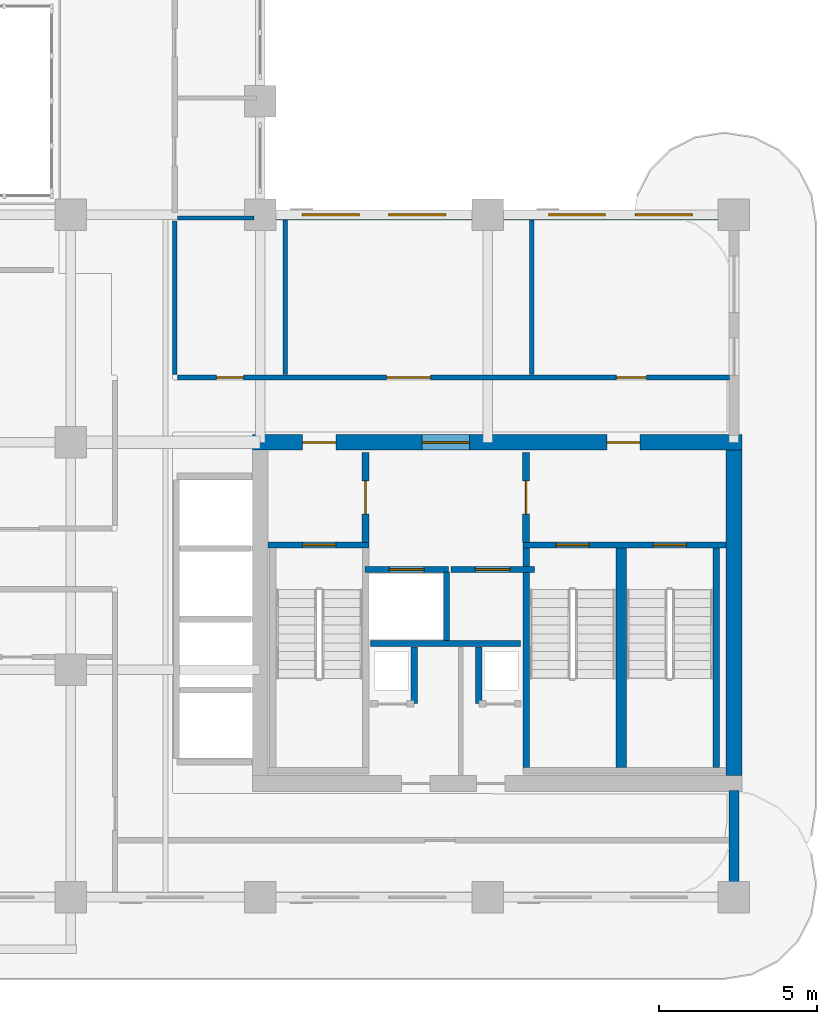
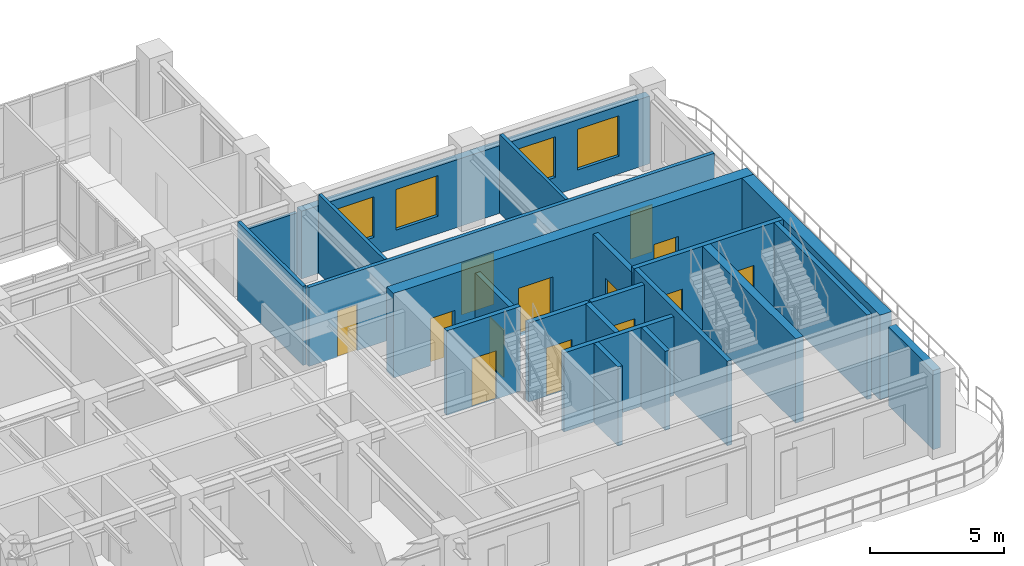
# One storey, part 13 of 20: 22 walls, 13 doors, 4 windows, 17 openings.
"""IFC4 building model written with IfcOpenShell, lengths in metres."""

from ifc_helpers import new_model, si_unit, derived_unit, direction, frame, frame_2d, origin, place, context, subcontext, project, spatial, rectangle, extrude, source, transform, mapped, material, layer, layer_set, type_object, type_shapes, element, fill, save


model = new_model("IFC4")

# Units and contexts
model_context = context("Model", 3, precision=1e-05, world=origin(), true_north=direction((0.0, 1.0)))
body_context = subcontext(model_context, "Body", "Model", "MODEL_VIEW")
ifc_project = project(units=[si_unit("LENGTHUNIT", "METRE"), si_unit("AREAUNIT", "SQUARE_METRE"), si_unit("VOLUMEUNIT", "CUBIC_METRE"), si_unit("PLANEANGLEUNIT", "RADIAN"), si_unit("MASSUNIT", "GRAM", prefix="KILO"), si_unit("THERMODYNAMICTEMPERATUREUNIT", "KELVIN"), si_unit("POWERUNIT", "WATT"), derived_unit("THERMALTRANSMITTANCEUNIT", [(si_unit("POWERUNIT", "WATT"), 1), (si_unit("AREAUNIT", "SQUARE_METRE"), -1), (si_unit("THERMODYNAMICTEMPERATUREUNIT", "KELVIN"), -1)])], contexts=[model_context])

# Site, building, storey
site_placement = place(None, origin())
site = spatial("IfcSite", under=ifc_project, at=site_placement, CompositionType="ELEMENT")
building_placement = place(site_placement, origin())
building = spatial("IfcBuilding", under=site, at=building_placement, Name="Zahravan Archway Hotel and Residences", CompositionType="ELEMENT")
storey_placement = place(building_placement, frame((0.0, 0.0, 177.25)))
storey = spatial("IfcBuildingStorey", under=building, at=storey_placement, Name="L44", CompositionType="ELEMENT", Elevation=177.25)

# Wall, openings, doors
ifc_material_1 = material(Name="Concrete C60/75", Category="concrete")
ifc_layer_1 = layer(ifc_material_1, 0.5, Name="Concrete C60/75", Category="concrete")
ifc_layer_set_1 = layer_set([ifc_layer_1], Name="Concrete C60/75")
wall_type_1 = type_object("IfcWallType", Name="CW-CORE-500", PredefinedType="SHEAR", material=ifc_layer_set_1)
wall_1_placement = place(storey_placement, frame((34.550048828125, 14.39990234375, 0.0), z_axis=(0.0, 0.0, 1.0), x_axis=(1.0, 0.0, 0.0)))
wall_1 = element("IfcWall", 1, at=wall_1_placement, inside=storey, type_object=wall_type_1, Name="L44 Core A Shear N Wall 500 mm", PredefinedType="SHEAR", context=body_context, shape_type="SweptSolid", body=[
    extrude(rectangle(XDim=15.5, YDim=0.5, at=frame_2d((7.75, 0.0))), origin(), (0.0, 0.0, 1.0), 3.85009765625),
])
opening_1_placement = place(wall_1_placement, frame((5.3798828125, 0.0, 0.0)))
opening_1 = element("IfcOpeningElement", 2, at=opening_1_placement, cuts=wall_1, Name="Opening FD-L1", PredefinedType="OPENING", context=body_context, shape_type="SweptSolid", body=[
    extrude(rectangle(XDim=1.5, YDim=2.199951171875, at=frame_2d((0.75, 1.10009765625))), frame((0.0, 0.260009765625, 0.0), z_axis=(0.0, -1.0, 0.0), x_axis=(1.0, 0.0, 0.0)), (0.0, 0.0, 1.0), 0.52001953125),
])
opening_2_placement = place(wall_1_placement, frame((1.594970703125, 0.0, 0.0)))
opening_2 = element("IfcOpeningElement", 3, at=opening_2_placement, cuts=wall_1, Name="Opening FD-L2", PredefinedType="OPENING", context=body_context, shape_type="SweptSolid", body=[
    extrude(rectangle(XDim=1.050048828125, YDim=2.14990234375, at=frame_2d((0.52490234375, 1.074951171875))), frame((0.0, 0.260009765625, 0.0), z_axis=(0.0, -1.0, 0.0), x_axis=(1.0, 0.0, 0.0)), (0.0, 0.0, 1.0), 0.52001953125),
])
opening_3_placement = place(wall_1_placement, frame((11.22509765625, 0.0, 0.0)))
opening_3 = element("IfcOpeningElement", 4, at=opening_3_placement, cuts=wall_1, Name="Opening FD-L2", PredefinedType="OPENING", context=body_context, shape_type="SweptSolid", body=[
    extrude(rectangle(XDim=1.050048828125, YDim=2.14990234375, at=frame_2d((0.52490234375, 1.074951171875))), frame((0.0, 0.260009765625, 0.0), z_axis=(0.0, -1.0, 0.0), x_axis=(1.0, 0.0, 0.0)), (0.0, 0.0, 1.0), 0.52001953125),
])
ifc_material_2 = material(Name="Fire-Rated Painted Steel", Category="steel")
door_type_1 = type_object("IfcDoorType", Name="FD-LOBBY-1100", OperationType="NOTDEFINED", PredefinedType="DOOR", material=ifc_material_2)
shared_shape_1 = source(origin(), body_context, "Body", "SweptSolid", [
    extrude(rectangle(XDim=1.050048828125, YDim=2.14990234375, at=frame_2d((0.52490234375, 1.074951171875))), frame((0.0, 0.02490234375, 0.0), z_axis=(0.0, -1.0, 0.0), x_axis=(1.0, 0.0, 0.0)), (0.0, 0.0, 1.0), 0.050048828125),
])
type_shapes(door_type_1, [shared_shape_1])
door_1_placement = place(opening_2_placement, origin())
door_1 = element("IfcDoor", 5, at=door_1_placement, inside=storey, type_object=door_type_1, Name="L44 Core A West Stair Lobby Door", OperationType="SINGLE_SWING_LEFT", OverallHeight=2.14990234375, OverallWidth=1.050048828125, PredefinedType="DOOR", context=body_context, shape_type="MappedRepresentation", body=[
    mapped(shared_shape_1, transform((0.0, 0.0, 0.0), scale=1.0)),
])
fill(opening_2, door_1)
door_2_placement = place(opening_3_placement, origin())
door_2 = element("IfcDoor", 6, at=door_2_placement, inside=storey, type_object=door_type_1, Name="L44 Core A East Stair Lobby Door", OperationType="SINGLE_SWING_RIGHT", OverallHeight=2.14990234375, OverallWidth=1.050048828125, PredefinedType="DOOR", context=body_context, shape_type="MappedRepresentation", body=[
    mapped(shared_shape_1, transform((0.0, 0.0, 0.0), scale=1.0)),
])
fill(opening_3, door_2)
door_type_2 = type_object("IfcDoorType", Name="FD-LOBBY-1500", OperationType="DOUBLE_DOOR_SINGLE_SWING", PredefinedType="DOOR", material=ifc_material_2)
shared_shape_2 = source(origin(), body_context, "Body", "SweptSolid", [
    extrude(rectangle(XDim=1.5, YDim=2.199951171875, at=frame_2d((0.75, 1.10009765625))), frame((0.0, 0.02490234375, 0.0), z_axis=(0.0, -1.0, 0.0), x_axis=(1.0, 0.0, 0.0)), (0.0, 0.0, 1.0), 0.050048828125),
])
type_shapes(door_type_2, [shared_shape_2])
door_3_placement = place(opening_1_placement, origin())
door_3 = element("IfcDoor", 7, at=door_3_placement, inside=storey, type_object=door_type_2, Name="L44 Core A FSAE Lobby Main Door", OperationType="DOUBLE_DOOR_SINGLE_SWING", OverallHeight=2.199951171875, OverallWidth=1.5, PredefinedType="DOOR", context=body_context, shape_type="MappedRepresentation", body=[
    mapped(shared_shape_2, transform((0.0, 0.0, 0.0), scale=1.0)),
])
fill(opening_1, door_3)

# Walls
wall_2_placement = place(storey_placement, frame((49.800048828125, 3.85009765625, 0.0), z_axis=(0.0, 0.0, 1.0), x_axis=(0.0, 1.0, 0.0)))
element("IfcWall", 8, at=wall_2_placement, inside=storey, type_object=wall_type_1, Name="L44 Core A Shear E Wall 500 mm", PredefinedType="SHEAR", context=body_context, shape_type="SweptSolid", body=[
    extrude(rectangle(XDim=10.2998046875, YDim=0.5, at=frame_2d((5.14990234375, 0.0))), origin(), (0.0, 0.0, 1.0), 3.85009765625),
])
ifc_material_3 = material(Name="Agra Buff Sandstone & Insulated Backup", Category="masonry")
ifc_layer_2 = layer(ifc_material_3, 0.320068359375, Name="Agra Buff Sandstone & Insulated Backup", Category="masonry")
ifc_layer_set_2 = layer_set([ifc_layer_2], Name="Agra Buff Sandstone & Insulated Backup")
wall_type_2 = type_object("IfcWallType", Name="EW-SAND-320", PredefinedType="SOLIDWALL", material=ifc_layer_set_2)
wall_3_placement = place(storey_placement, frame((49.800048828125, 0.050048828125, 0.0), z_axis=(0.0, 0.0, 1.0), x_axis=(0.0, 1.0, 0.0)))
element("IfcWall", 9, at=wall_3_placement, inside=storey, type_object=wall_type_2, Name="L44 Exterior Sandstone Wall WA-ES", PredefinedType="SOLIDWALL", context=body_context, shape_type="SweptSolid", body=[
    extrude(rectangle(XDim=3.329833984375, YDim=0.320068359375, at=frame_2d((1.6650390625, 0.0))), origin(), (0.0, 0.0, 1.0), 3.60009765625),
])

# Wall, openings, windows
wall_4_placement = place(storey_placement, frame((34.800048828125, 21.60009765625, 0.0), z_axis=(0.0, 0.0, 1.0), x_axis=(1.0, 0.0, 0.0)))
wall_4 = element("IfcWall", 10, at=wall_4_placement, inside=storey, type_object=wall_type_2, Name="L44 Exterior Sandstone Wall WA-NE", PredefinedType="SOLIDWALL", context=body_context, shape_type="SweptSolid", body=[
    extrude(rectangle(XDim=15.0, YDim=0.320068359375, at=frame_2d((7.5, 0.0))), origin(), (0.0, 0.0, 1.0), 3.0849609375),
])
opening_4_placement = place(wall_4_placement, frame((1.3310546875, 0.0, 0.800048828125)))
opening_4 = element("IfcOpeningElement", 11, at=opening_4_placement, cuts=wall_4, Name="Opening W-02", PredefinedType="OPENING", context=body_context, shape_type="SweptSolid", body=[
    extrude(rectangle(XDim=1.800048828125, YDim=1.85009765625, at=frame_2d((0.89990234375, 0.925048828125))), frame((0.0, 0.169921875, 0.0), z_axis=(0.0, -1.0, 0.0), x_axis=(1.0, 0.0, 0.0)), (0.0, 0.0, 1.0), 0.340087890625),
])
opening_5_placement = place(wall_4_placement, frame((4.076904296875, 0.0, 0.800048828125)))
opening_5 = element("IfcOpeningElement", 12, at=opening_5_placement, cuts=wall_4, Name="Opening W-02", PredefinedType="OPENING", context=body_context, shape_type="SweptSolid", body=[
    extrude(rectangle(XDim=1.800048828125, YDim=1.85009765625, at=frame_2d((0.89990234375, 0.925048828125))), frame((0.0, 0.169921875, 0.0), z_axis=(0.0, -1.0, 0.0), x_axis=(1.0, 0.0, 0.0)), (0.0, 0.0, 1.0), 0.340087890625),
])
opening_6_placement = place(wall_4_placement, frame((9.131103515625, 0.0, 0.800048828125)))
opening_6 = element("IfcOpeningElement", 13, at=opening_6_placement, cuts=wall_4, Name="Opening W-02", PredefinedType="OPENING", context=body_context, shape_type="SweptSolid", body=[
    extrude(rectangle(XDim=1.800048828125, YDim=1.85009765625, at=frame_2d((0.89990234375, 0.925048828125))), frame((0.0, 0.169921875, 0.0), z_axis=(0.0, -1.0, 0.0), x_axis=(1.0, 0.0, 0.0)), (0.0, 0.0, 1.0), 0.340087890625),
])
opening_7_placement = place(wall_4_placement, frame((11.876953125, 0.0, 0.800048828125)))
opening_7 = element("IfcOpeningElement", 14, at=opening_7_placement, cuts=wall_4, Name="Opening W-02", PredefinedType="OPENING", context=body_context, shape_type="SweptSolid", body=[
    extrude(rectangle(XDim=1.800048828125, YDim=1.85009765625, at=frame_2d((0.89990234375, 0.925048828125))), frame((0.0, 0.169921875, 0.0), z_axis=(0.0, -1.0, 0.0), x_axis=(1.0, 0.0, 0.0)), (0.0, 0.0, 1.0), 0.340087890625),
])
ifc_material_4 = material(Name="Bronze-Anodized Thermal-Break Aluminium & Low-E Glass", Category="aluminium")
window_type = type_object("IfcWindowType", Name="WIN-TWR-1800", PartitioningType="DOUBLE_PANEL_VERTICAL", PredefinedType="WINDOW", material=ifc_material_4)
shared_shape_3 = source(origin(), body_context, "Body", "SweptSolid", [
    extrude(rectangle(XDim=1.800048828125, YDim=1.85009765625, at=frame_2d((0.89990234375, 0.925048828125))), frame((0.0, 0.030029296875, 0.0), z_axis=(0.0, -1.0, 0.0), x_axis=(1.0, 0.0, 0.0)), (0.0, 0.0, 1.0), 0.06005859375),
])
type_shapes(window_type, [shared_shape_3])
window_1_placement = place(opening_4_placement, origin())
window_1 = element("IfcWindow", 15, at=window_1_placement, inside=storey, type_object=window_type, Name="L44 Loggia Window 12", OverallHeight=1.85009765625, OverallWidth=1.800048828125, PartitioningType="DOUBLE_PANEL_VERTICAL", PredefinedType="WINDOW", context=body_context, shape_type="MappedRepresentation", body=[
    mapped(shared_shape_3, transform((0.0, 0.0, 0.0), scale=1.0)),
])
fill(opening_4, window_1)
window_2_placement = place(opening_5_placement, origin())
window_2 = element("IfcWindow", 16, at=window_2_placement, inside=storey, type_object=window_type, Name="L44 Loggia Window 13", OverallHeight=1.85009765625, OverallWidth=1.800048828125, PartitioningType="DOUBLE_PANEL_VERTICAL", PredefinedType="WINDOW", context=body_context, shape_type="MappedRepresentation", body=[
    mapped(shared_shape_3, transform((0.0, 0.0, 0.0), scale=1.0)),
])
fill(opening_5, window_2)
window_3_placement = place(opening_6_placement, origin())
window_3 = element("IfcWindow", 17, at=window_3_placement, inside=storey, type_object=window_type, Name="L44 Loggia Window 14", OverallHeight=1.85009765625, OverallWidth=1.800048828125, PartitioningType="DOUBLE_PANEL_VERTICAL", PredefinedType="WINDOW", context=body_context, shape_type="MappedRepresentation", body=[
    mapped(shared_shape_3, transform((0.0, 0.0, 0.0), scale=1.0)),
])
fill(opening_6, window_3)
window_4_placement = place(opening_7_placement, origin())
window_4 = element("IfcWindow", 18, at=window_4_placement, inside=storey, type_object=window_type, Name="L44 Loggia Window 15", OverallHeight=1.85009765625, OverallWidth=1.800048828125, PartitioningType="DOUBLE_PANEL_VERTICAL", PredefinedType="WINDOW", context=body_context, shape_type="MappedRepresentation", body=[
    mapped(shared_shape_3, transform((0.0, 0.0, 0.0), scale=1.0)),
])
fill(opening_7, window_4)

# Wall, opening, door
ifc_material_5 = material(Name="Fire-Rated Gypsum & Concrete Block", Category="concrete")
ifc_layer_3 = layer(ifc_material_5, 0.219970703125, Name="Fire-Rated Gypsum & Concrete Block", Category="concrete")
ifc_layer_set_3 = layer_set([ifc_layer_3], Name="Fire-Rated Gypsum & Concrete Block")
wall_type_3 = type_object("IfcWallType", Name="PW-COMP-220", PredefinedType="PARTITIONING", material=ifc_layer_set_3)
wall_5_placement = place(storey_placement, frame((38.139892578125, 11.219970703125, 0.0), z_axis=(0.0, 0.0, 1.0), x_axis=(0.0, 1.0, 0.0)))
wall_5 = element("IfcWall", 19, at=wall_5_placement, inside=storey, type_object=wall_type_3, Name="L44 Partition CA-LOBW", PredefinedType="PARTITIONING", context=body_context, shape_type="SweptSolid", body=[
    extrude(rectangle(XDim=2.860107421875, YDim=0.219970703125, at=frame_2d((1.43017578125, 0.0))), origin(), (0.0, 0.0, 1.0), 3.60009765625),
])
opening_8_placement = place(wall_5_placement, frame((0.905029296875, 0.0, 0.0)))
opening_8 = element("IfcOpeningElement", 20, at=opening_8_placement, cuts=wall_5, Name="Opening FD-L2", PredefinedType="OPENING", context=body_context, shape_type="SweptSolid", body=[
    extrude(rectangle(XDim=1.050048828125, YDim=2.14990234375, at=frame_2d((0.52490234375, 1.074951171875))), frame((0.0, 0.1201171875, 0.0), z_axis=(0.0, -1.0, 0.0), x_axis=(1.0, 0.0, 0.0)), (0.0, 0.0, 1.0), 0.239990234375),
])
door_4_placement = place(opening_8_placement, origin())
door_4 = element("IfcDoor", 21, at=door_4_placement, inside=storey, type_object=door_type_1, Name="L44 Core A West Stair to FSAE Lobby Door", OperationType="SINGLE_SWING_LEFT", OverallHeight=2.14990234375, OverallWidth=1.050048828125, PredefinedType="DOOR", context=body_context, shape_type="MappedRepresentation", body=[
    mapped(shared_shape_1, transform((0.0, 0.0, 0.0), scale=1.0)),
])
fill(opening_8, door_4)

wall_6_placement = place(storey_placement, frame((43.219970703125, 11.219970703125, 0.0), z_axis=(0.0, 0.0, 1.0), x_axis=(0.0, 1.0, 0.0)))
wall_6 = element("IfcWall", 22, at=wall_6_placement, inside=storey, type_object=wall_type_3, Name="L44 Partition CA-LOBE", PredefinedType="PARTITIONING", context=body_context, shape_type="SweptSolid", body=[
    extrude(rectangle(XDim=2.860107421875, YDim=0.219970703125, at=frame_2d((1.43017578125, 0.0))), origin(), (0.0, 0.0, 1.0), 3.60009765625),
])
opening_9_placement = place(wall_6_placement, frame((0.905029296875, 0.0, 0.0)))
opening_9 = element("IfcOpeningElement", 23, at=opening_9_placement, cuts=wall_6, Name="Opening FD-L2", PredefinedType="OPENING", context=body_context, shape_type="SweptSolid", body=[
    extrude(rectangle(XDim=1.050048828125, YDim=2.14990234375, at=frame_2d((0.52490234375, 1.074951171875))), frame((0.0, 0.1201171875, 0.0), z_axis=(0.0, -1.0, 0.0), x_axis=(1.0, 0.0, 0.0)), (0.0, 0.0, 1.0), 0.239990234375),
])
door_5_placement = place(opening_9_placement, origin())
door_5 = element("IfcDoor", 24, at=door_5_placement, inside=storey, type_object=door_type_1, Name="L44 Core A East Stair to FSAE Lobby Door", OperationType="SINGLE_SWING_RIGHT", OverallHeight=2.14990234375, OverallWidth=1.050048828125, PredefinedType="DOOR", context=body_context, shape_type="MappedRepresentation", body=[
    mapped(shared_shape_1, transform((0.0, 0.0, 0.0), scale=1.0)),
])
fill(opening_9, door_5)

# Wall, openings, doors
ifc_layer_4 = layer(ifc_material_5, 0.159912109375, Name="Fire-Rated Gypsum & Concrete Block", Category="concrete")
ifc_layer_set_4 = layer_set([ifc_layer_4], Name="Fire-Rated Gypsum & Concrete Block")
wall_type_4 = type_object("IfcWallType", Name="PW-CORR-160", PredefinedType="PARTITIONING", material=ifc_layer_set_4)
wall_7_placement = place(storey_placement, frame((32.18994140625, 16.449951171875, 0.0), z_axis=(0.0, 0.0, 1.0), x_axis=(1.0, 0.0, 0.0)))
wall_7 = element("IfcWall", 25, at=wall_7_placement, inside=storey, type_object=wall_type_4, Name="L44 Partition WA-FN", PredefinedType="PARTITIONING", context=body_context, shape_type="SweptSolid", body=[
    extrude(rectangle(XDim=17.469970703125, YDim=0.159912109375, at=frame_2d((8.73486328125, 0.0))), origin(), (0.0, 0.0, 1.0), 3.60009765625),
])
opening_10_placement = place(wall_7_placement, frame((1.235107421875, 0.0, 0.0)))
opening_10 = element("IfcOpeningElement", 26, at=opening_10_placement, cuts=wall_7, Name="Opening D-B1", PredefinedType="OPENING", context=body_context, shape_type="SweptSolid", body=[
    extrude(rectangle(XDim=0.85009765625, YDim=2.10009765625, at=frame_2d((0.425048828125, 1.050048828125))), frame((0.0, 0.08984375, 0.0), z_axis=(0.0, -1.0, 0.0), x_axis=(1.0, 0.0, 0.0)), (0.0, 0.0, 1.0), 0.179931640625),
])
opening_11_placement = place(wall_7_placement, frame((6.610107421875, 0.0, 0.0)))
opening_11 = element("IfcOpeningElement", 27, at=opening_11_placement, cuts=wall_7, Name="Opening D-P1", PredefinedType="OPENING", context=body_context, shape_type="SweptSolid", body=[
    extrude(rectangle(XDim=1.39990234375, YDim=2.35009765625, at=frame_2d((0.699951171875, 1.175048828125))), frame((0.0, 0.08984375, 0.0), z_axis=(0.0, -1.0, 0.0), x_axis=(1.0, 0.0, 0.0)), (0.0, 0.0, 1.0), 0.179931640625),
])
opening_12_placement = place(wall_7_placement, frame((13.885009765625, 0.0, 0.0)))
opening_12 = element("IfcOpeningElement", 28, at=opening_12_placement, cuts=wall_7, Name="Opening D-I1", PredefinedType="OPENING", context=body_context, shape_type="SweptSolid", body=[
    extrude(rectangle(XDim=0.949951171875, YDim=2.14990234375, at=frame_2d((0.47509765625, 1.074951171875))), frame((0.0, 0.08984375, 0.0), z_axis=(0.0, -1.0, 0.0), x_axis=(1.0, 0.0, 0.0)), (0.0, 0.0, 1.0), 0.179931640625),
])
ifc_material_6 = material(Name="Hardwood Veneer Timber", Category="wood")
door_type_3 = type_object("IfcDoorType", Name="ID-BATH-850", OperationType="NOTDEFINED", PredefinedType="DOOR", material=ifc_material_6)
shared_shape_4 = source(origin(), body_context, "Body", "SweptSolid", [
    extrude(rectangle(XDim=0.85009765625, YDim=2.10009765625, at=frame_2d((0.425048828125, 1.050048828125))), frame((0.0, 0.02490234375, 0.0), z_axis=(0.0, -1.0, 0.0), x_axis=(1.0, 0.0, 0.0)), (0.0, 0.0, 1.0), 0.050048828125),
])
type_shapes(door_type_3, [shared_shape_4])
door_6_placement = place(opening_10_placement, origin())
door_6 = element("IfcDoor", 29, at=door_6_placement, inside=storey, type_object=door_type_3, Name="L44 Accessible WC Door", OperationType="SINGLE_SWING_RIGHT", OverallHeight=2.10009765625, OverallWidth=0.85009765625, PredefinedType="DOOR", context=body_context, shape_type="MappedRepresentation", body=[
    mapped(shared_shape_4, transform((0.0, 0.0, 0.0), scale=1.0)),
])
fill(opening_10, door_6)
ifc_material_7 = material(Name="Bronze-Anodized Glazed Aluminium", Category="aluminium")
door_type_4 = type_object("IfcDoorType", Name="ID-PUBLIC-1400", OperationType="DOUBLE_DOOR_SINGLE_SWING", PredefinedType="DOOR", material=ifc_material_7)
shared_shape_5 = source(origin(), body_context, "Body", "SweptSolid", [
    extrude(rectangle(XDim=1.39990234375, YDim=2.35009765625, at=frame_2d((0.699951171875, 1.175048828125))), frame((0.0, 0.02490234375, 0.0), z_axis=(0.0, -1.0, 0.0), x_axis=(1.0, 0.0, 0.0)), (0.0, 0.0, 1.0), 0.050048828125),
])
type_shapes(door_type_4, [shared_shape_5])
door_7_placement = place(opening_11_placement, origin())
door_7 = element("IfcDoor", 30, at=door_7_placement, inside=storey, type_object=door_type_4, Name="L44 Private Dining Door", OperationType="DOUBLE_DOOR_SINGLE_SWING", OverallHeight=2.35009765625, OverallWidth=1.39990234375, PredefinedType="DOOR", context=body_context, shape_type="MappedRepresentation", body=[
    mapped(shared_shape_5, transform((0.0, 0.0, 0.0), scale=1.0)),
])
fill(opening_11, door_7)
door_type_5 = type_object("IfcDoorType", Name="ID-INT-950", OperationType="NOTDEFINED", PredefinedType="DOOR", material=ifc_material_6)
shared_shape_6 = source(origin(), body_context, "Body", "SweptSolid", [
    extrude(rectangle(XDim=0.949951171875, YDim=2.14990234375, at=frame_2d((0.47509765625, 1.074951171875))), frame((0.0, 0.02490234375, 0.0), z_axis=(0.0, -1.0, 0.0), x_axis=(1.0, 0.0, 0.0)), (0.0, 0.0, 1.0), 0.050048828125),
])
type_shapes(door_type_5, [shared_shape_6])
door_8_placement = place(opening_12_placement, origin())
door_8 = element("IfcDoor", 31, at=door_8_placement, inside=storey, type_object=door_type_5, Name="L44 Quiet Musalla Door", OperationType="SINGLE_SWING_LEFT", OverallHeight=2.14990234375, OverallWidth=0.949951171875, PredefinedType="DOOR", context=body_context, shape_type="MappedRepresentation", body=[
    mapped(shared_shape_6, transform((0.0, 0.0, 0.0), scale=1.0)),
])
fill(opening_12, door_8)

# Walls
ifc_layer_5 = layer(ifc_material_5, 0.199951171875, Name="Fire-Rated Gypsum & Concrete Block", Category="concrete")
ifc_layer_set_5 = layer_set([ifc_layer_5], Name="Fire-Rated Gypsum & Concrete Block")
wall_type_5 = type_object("IfcWallType", Name="PW-SHAFT-200", PredefinedType="PARTITIONING", material=ifc_layer_set_5)
wall_8_placement = place(storey_placement, frame((38.300048828125, 8.030029296875, 0.0), z_axis=(0.0, 0.0, 1.0), x_axis=(1.0, 0.0, 0.0)))
element("IfcWall", 32, at=wall_8_placement, inside=storey, type_object=wall_type_5, Name="L44 Partition CA-FLS", PredefinedType="PARTITIONING", context=body_context, shape_type="SweptSolid", body=[
    extrude(rectangle(XDim=4.739990234375, YDim=0.199951171875, at=frame_2d((2.3701171875, 0.0))), origin(), (0.0, 0.0, 1.0), 3.60009765625),
])
wall_9_placement = place(storey_placement, frame((40.699951171875, 8.1201171875, 0.0), z_axis=(0.0, 0.0, 1.0), x_axis=(0.0, 1.0, 0.0)))
element("IfcWall", 33, at=wall_9_placement, inside=storey, type_object=wall_type_5, Name="L44 Partition CA-FLM", PredefinedType="PARTITIONING", context=body_context, shape_type="SweptSolid", body=[
    extrude(rectangle(XDim=2.179931640625, YDim=0.199951171875, at=frame_2d((1.08984375, 0.0))), origin(), (0.0, 0.0, 1.0), 3.60009765625),
])
for number, where, z_axis, x_axis, name in (
    (34, (39.679931640625, 6.1298828125, 0.0), (0.0, 0.0, 1.0), (0.0, 1.0, 0.0), "L44 Partition CA-SMKE"),
    (35, (41.719970703125, 6.1298828125, 0.0), (0.0, 0.0, 1.0), (0.0, 1.0, 0.0), "L44 Partition CA-MEPW"),
):
    element("IfcWall", number, at=place(storey_placement, frame(where, z_axis=z_axis, x_axis=x_axis)), inside=storey, type_object=wall_type_5, Name=name, PredefinedType="PARTITIONING", context=body_context, shape_type="SweptSolid", body=[
        extrude(rectangle(XDim=1.7900390625, YDim=0.199951171875, at=frame_2d((0.89501953125, 0.0))), origin(), (0.0, 0.0, 1.0), 3.60009765625),
    ])

# Wall, opening, door
wall_10_placement = place(storey_placement, frame((38.1201171875, 10.3701171875, 0.0), z_axis=(0.0, 0.0, 1.0), x_axis=(1.0, 0.0, 0.0)))
wall_10 = element("IfcWall", 36, at=wall_10_placement, inside=storey, type_object=wall_type_5, Name="L44 Lift FL-1 Front Wall", PredefinedType="PARTITIONING", context=body_context, shape_type="SweptSolid", body=[
    extrude(rectangle(XDim=2.639892578125, YDim=0.199951171875, at=frame_2d((1.31982421875, 0.0))), origin(), (0.0, 0.0, 1.0), 3.60009765625),
])
opening_13_placement = place(wall_10_placement, frame((0.77001953125, 0.0, 0.0)))
opening_13 = element("IfcOpeningElement", 37, at=opening_13_placement, cuts=wall_10, Name="Opening LD", PredefinedType="OPENING", context=body_context, shape_type="SweptSolid", body=[
    extrude(rectangle(XDim=1.10009765625, YDim=2.199951171875, at=frame_2d((0.550048828125, 1.10009765625))), frame((0.0, 0.10986328125, 0.0), z_axis=(0.0, -1.0, 0.0), x_axis=(1.0, 0.0, 0.0)), (0.0, 0.0, 1.0), 0.219970703125),
])
ifc_material_8 = material(Name="Brushed Stainless Steel", Category="steel")
door_type_6 = type_object("IfcDoorType", Name="DR-LIFT-LD", OperationType="SLIDING_TO_LEFT", PredefinedType="DOOR", material=ifc_material_8)
shared_shape_7 = source(origin(), body_context, "Body", "SweptSolid", [
    extrude(rectangle(XDim=1.10009765625, YDim=2.199951171875, at=frame_2d((0.550048828125, 1.10009765625))), frame((0.0, 0.02490234375, 0.0), z_axis=(0.0, -1.0, 0.0), x_axis=(1.0, 0.0, 0.0)), (0.0, 0.0, 1.0), 0.050048828125),
])
type_shapes(door_type_6, [shared_shape_7])
door_9_placement = place(opening_13_placement, origin())
door_9 = element("IfcDoor", 38, at=door_9_placement, inside=storey, type_object=door_type_6, Name="L44 Lift FL-1 Sliding Landing Door", OperationType="SLIDING_TO_LEFT", OverallHeight=2.199951171875, OverallWidth=1.10009765625, PredefinedType="DOOR", context=body_context, shape_type="MappedRepresentation", body=[
    mapped(shared_shape_7, transform((0.0, 0.0, 0.0), scale=1.0)),
])
fill(opening_13, door_9)

wall_11_placement = place(storey_placement, frame((40.840087890625, 10.3701171875, 0.0), z_axis=(0.0, 0.0, 1.0), x_axis=(1.0, 0.0, 0.0)))
wall_11 = element("IfcWall", 39, at=wall_11_placement, inside=storey, type_object=wall_type_5, Name="L44 Lift FL-2 Front Wall", PredefinedType="PARTITIONING", context=body_context, shape_type="SweptSolid", body=[
    extrude(rectangle(XDim=2.639892578125, YDim=0.199951171875, at=frame_2d((1.31982421875, 0.0))), origin(), (0.0, 0.0, 1.0), 3.60009765625),
])
opening_14_placement = place(wall_11_placement, frame((0.77001953125, 0.0, 0.0)))
opening_14 = element("IfcOpeningElement", 40, at=opening_14_placement, cuts=wall_11, Name="Opening LD", PredefinedType="OPENING", context=body_context, shape_type="SweptSolid", body=[
    extrude(rectangle(XDim=1.10009765625, YDim=2.199951171875, at=frame_2d((0.550048828125, 1.10009765625))), frame((0.0, 0.10986328125, 0.0), z_axis=(0.0, -1.0, 0.0), x_axis=(1.0, 0.0, 0.0)), (0.0, 0.0, 1.0), 0.219970703125),
])
door_10_placement = place(opening_14_placement, origin())
door_10 = element("IfcDoor", 41, at=door_10_placement, inside=storey, type_object=door_type_6, Name="L44 Lift FL-2 Sliding Landing Door", OperationType="SLIDING_TO_LEFT", OverallHeight=2.199951171875, OverallWidth=1.10009765625, PredefinedType="DOOR", context=body_context, shape_type="MappedRepresentation", body=[
    mapped(shared_shape_7, transform((0.0, 0.0, 0.0), scale=1.0)),
])
fill(opening_14, door_10)

# Walls
ifc_material_9 = material(Name="Moisture-Resistant Blockwork", Category="masonry")
ifc_layer_6 = layer(ifc_material_9, 0.139892578125, Name="Moisture-Resistant Blockwork", Category="masonry")
ifc_layer_set_6 = layer_set([ifc_layer_6], Name="Moisture-Resistant Blockwork")
wall_type_6 = type_object("IfcWallType", Name="PW-WET-140", PredefinedType="PARTITIONING", material=ifc_layer_set_6)
wall_12_placement = place(storey_placement, frame((32.10009765625, 16.5400390625, 0.0), z_axis=(0.0, 0.0, 1.0), x_axis=(0.0, 1.0, 0.0)))
element("IfcWall", 42, at=wall_12_placement, inside=storey, type_object=wall_type_6, Name="L44 Partition NE-W0", PredefinedType="PARTITIONING", context=body_context, shape_type="SweptSolid", body=[
    extrude(rectangle(XDim=4.869873046875, YDim=0.139892578125, at=frame_2d((2.43505859375, 0.0))), origin(), (0.0, 0.0, 1.0), 3.60009765625),
])
for number, where, z_axis, x_axis, name in (
    (43, (35.60009765625, 16.5400390625, 0.0), (0.0, 0.0, 1.0), (0.0, 1.0, 0.0), "L44 Partition NE3-1"),
    (44, (43.39990234375, 16.5400390625, 0.0), (0.0, 0.0, 1.0), (0.0, 1.0, 0.0), "L44 Partition NE3-2"),
):
    element("IfcWall", number, at=place(storey_placement, frame(where, z_axis=z_axis, x_axis=x_axis)), inside=storey, type_object=wall_type_6, Name=name, PredefinedType="PARTITIONING", context=body_context, shape_type="SweptSolid", body=[
        extrude(rectangle(XDim=4.891845703125, YDim=0.139892578125, at=frame_2d((2.44580078125, 0.0))), origin(), (0.0, 0.0, 1.0), 3.60009765625),
    ])
wall_13_placement = place(storey_placement, frame((32.18994140625, 21.5, 0.0), z_axis=(0.0, 0.0, 1.0), x_axis=(1.0, 0.0, 0.0)))
element("IfcWall", 45, at=wall_13_placement, inside=storey, type_object=wall_type_6, Name="L44 Partition ATR-ES", PredefinedType="PARTITIONING", context=body_context, shape_type="SweptSolid", body=[
    extrude(rectangle(XDim=2.420166015625, YDim=0.139892578125, at=frame_2d((1.2099609375, 0.0))), origin(), (0.0, 0.0, 1.0), 3.0849609375),
])

# Wall, opening, door
ifc_material_10 = material(Name="Concrete C50/60", Category="concrete")
ifc_layer_7 = layer(ifc_material_10, 0.199951171875, Name="Concrete C50/60", Category="concrete")
ifc_layer_set_7 = layer_set([ifc_layer_7], Name="Concrete C50/60")
wall_type_7 = type_object("IfcWallType", Name="SW-STAIR-200", PredefinedType="SHEAR", material=ifc_layer_set_7)
wall_14_placement = place(storey_placement, frame((35.050048828125, 11.14990234375, 0.0), z_axis=(0.0, 0.0, 1.0), x_axis=(1.0, 0.0, 0.0)))
wall_14 = element("IfcWall", 46, at=wall_14_placement, inside=storey, type_object=wall_type_7, Name="L44 Stairwell RC Wall CA-SA1N", PredefinedType="SHEAR", context=body_context, shape_type="SweptSolid", body=[
    extrude(rectangle(XDim=3.18994140625, YDim=0.199951171875, at=frame_2d((1.594970703125, 0.0))), origin(), (0.0, 0.0, 1.0), 3.85009765625),
])
opening_15_placement = place(wall_14_placement, frame((1.094970703125, 0.0, 0.0)))
opening_15 = element("IfcOpeningElement", 47, at=opening_15_placement, cuts=wall_14, Name="Opening FD-S1", PredefinedType="OPENING", context=body_context, shape_type="SweptSolid", body=[
    extrude(rectangle(XDim=1.050048828125, YDim=2.199951171875, at=frame_2d((0.52490234375, 1.10009765625))), frame((0.0, 0.10986328125, 0.0), z_axis=(0.0, -1.0, 0.0), x_axis=(1.0, 0.0, 0.0)), (0.0, 0.0, 1.0), 0.219970703125),
])
door_type_7 = type_object("IfcDoorType", Name="FD-STAIR-1100", OperationType="NOTDEFINED", PredefinedType="DOOR", material=ifc_material_2)
shared_shape_8 = source(origin(), body_context, "Body", "SweptSolid", [
    extrude(rectangle(XDim=1.050048828125, YDim=2.199951171875, at=frame_2d((0.52490234375, 1.10009765625))), frame((0.0, 0.02490234375, 0.0), z_axis=(0.0, -1.0, 0.0), x_axis=(1.0, 0.0, 0.0)), (0.0, 0.0, 1.0), 0.050048828125),
])
type_shapes(door_type_7, [shared_shape_8])
door_11_placement = place(opening_15_placement, origin())
door_11 = element("IfcDoor", 48, at=door_11_placement, inside=storey, type_object=door_type_7, Name="L44 Stair ST-A1 Door", OperationType="SINGLE_SWING_RIGHT", OverallHeight=2.199951171875, OverallWidth=1.050048828125, PredefinedType="DOOR", context=body_context, shape_type="MappedRepresentation", body=[
    mapped(shared_shape_8, transform((0.0, 0.0, 0.0), scale=1.0)),
])
fill(opening_15, door_11)

# Walls
for number, where, z_axis, x_axis, name in (
    (49, (43.219970703125, 4.10009765625, 0.0), (0.0, 0.0, 1.0), (0.0, 1.0, 0.0), "L44 Stairwell RC Wall CA-SA2W"),
    (50, (49.239990234375, 4.10009765625, 0.0), (0.0, 0.0, 1.0), (0.0, 1.0, 0.0), "L44 Stairwell RC Wall CA-SA3E"),
):
    element("IfcWall", number, at=place(storey_placement, frame(where, z_axis=z_axis, x_axis=x_axis)), inside=storey, type_object=wall_type_7, Name=name, PredefinedType="SHEAR", context=body_context, shape_type="SweptSolid", body=[
        extrude(rectangle(XDim=6.949951171875, YDim=0.199951171875, at=frame_2d((3.47509765625, 0.0))), origin(), (0.0, 0.0, 1.0), 3.85009765625),
    ])

# Wall, openings, doors
wall_15_placement = place(storey_placement, frame((43.1201171875, 11.14990234375, 0.0), z_axis=(0.0, 0.0, 1.0), x_axis=(1.0, 0.0, 0.0)))
wall_15 = element("IfcWall", 51, at=wall_15_placement, inside=storey, type_object=wall_type_7, Name="L44 Stairwell RC Wall CA-SA23N", PredefinedType="SHEAR", context=body_context, shape_type="SweptSolid", body=[
    extrude(rectangle(XDim=6.429931640625, YDim=0.199951171875, at=frame_2d((3.21484375, 0.0))), origin(), (0.0, 0.0, 1.0), 3.85009765625),
])
opening_16_placement = place(wall_15_placement, frame((1.044921875, 0.0, 0.0)))
opening_16 = element("IfcOpeningElement", 52, at=opening_16_placement, cuts=wall_15, Name="Opening FD-S1", PredefinedType="OPENING", context=body_context, shape_type="SweptSolid", body=[
    extrude(rectangle(XDim=1.050048828125, YDim=2.199951171875, at=frame_2d((0.52490234375, 1.10009765625))), frame((0.0, 0.10986328125, 0.0), z_axis=(0.0, -1.0, 0.0), x_axis=(1.0, 0.0, 0.0)), (0.0, 0.0, 1.0), 0.219970703125),
])
opening_17_placement = place(wall_15_placement, frame((4.125, 0.0, 0.0)))
opening_17 = element("IfcOpeningElement", 53, at=opening_17_placement, cuts=wall_15, Name="Opening FD-S1", PredefinedType="OPENING", context=body_context, shape_type="SweptSolid", body=[
    extrude(rectangle(XDim=1.050048828125, YDim=2.199951171875, at=frame_2d((0.52490234375, 1.10009765625))), frame((0.0, 0.10986328125, 0.0), z_axis=(0.0, -1.0, 0.0), x_axis=(1.0, 0.0, 0.0)), (0.0, 0.0, 1.0), 0.219970703125),
])
door_12_placement = place(opening_16_placement, origin())
door_12 = element("IfcDoor", 54, at=door_12_placement, inside=storey, type_object=door_type_7, Name="L44 Stair ST-A2 Door", OperationType="SINGLE_SWING_LEFT", OverallHeight=2.199951171875, OverallWidth=1.050048828125, PredefinedType="DOOR", context=body_context, shape_type="MappedRepresentation", body=[
    mapped(shared_shape_8, transform((0.0, 0.0, 0.0), scale=1.0)),
])
fill(opening_16, door_12)
door_13_placement = place(opening_17_placement, origin())
door_13 = element("IfcDoor", 55, at=door_13_placement, inside=storey, type_object=door_type_7, Name="L44 Stair ST-A3 Door", OperationType="SINGLE_SWING_RIGHT", OverallHeight=2.199951171875, OverallWidth=1.050048828125, PredefinedType="DOOR", context=body_context, shape_type="MappedRepresentation", body=[
    mapped(shared_shape_8, transform((0.0, 0.0, 0.0), scale=1.0)),
])
fill(opening_17, door_13)

# Wall
ifc_layer_8 = layer(ifc_material_10, 0.340087890625, Name="Concrete C50/60", Category="concrete")
ifc_layer_set_8 = layer_set([ifc_layer_8], Name="Concrete C50/60")
wall_type_8 = type_object("IfcWallType", Name="SW-STAIR-340", PredefinedType="SHEAR", material=ifc_layer_set_8)
wall_16_placement = place(storey_placement, frame((46.22998046875, 4.10009765625, 0.0), z_axis=(0.0, 0.0, 1.0), x_axis=(0.0, 1.0, 0.0)))
element("IfcWall", 56, at=wall_16_placement, inside=storey, type_object=wall_type_8, Name="L44 Stairwell RC Wall CA-SA23M", PredefinedType="SHEAR", context=body_context, shape_type="SweptSolid", body=[
    extrude(rectangle(XDim=6.949951171875, YDim=0.340087890625, at=frame_2d((3.47509765625, 0.0))), origin(), (0.0, 0.0, 1.0), 3.85009765625),
])

save(model, "model.ifc")
